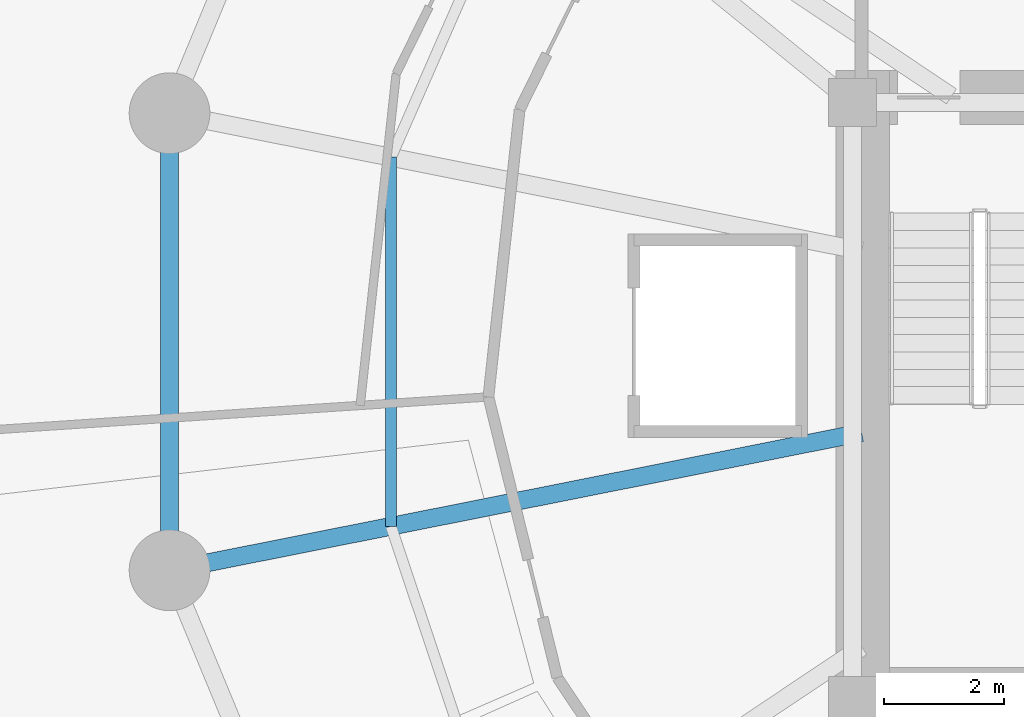
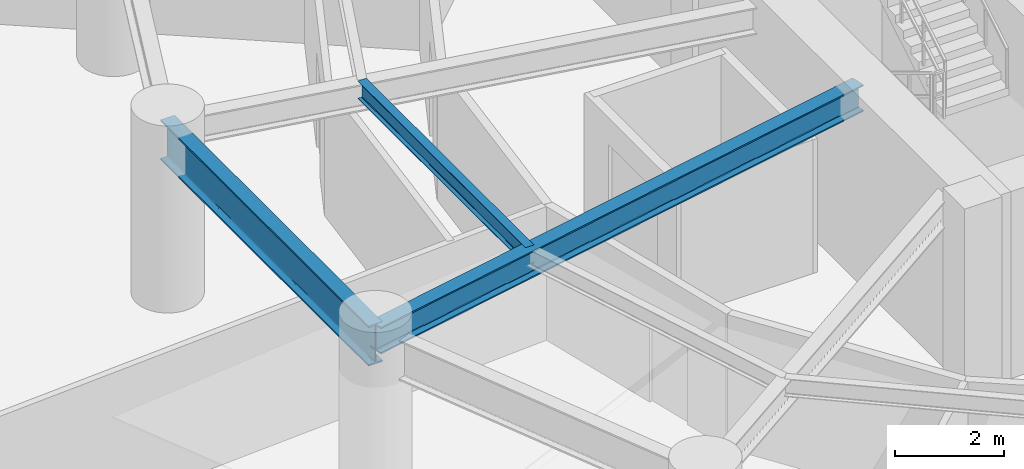
# One storey, part 5 of 16: 3 beams.
"""IFC4 building model written with IfcOpenShell, lengths in metres."""

import ifcopenshell
import ifcopenshell.guid

model = None  # the IFC model being written
_history = None  # IfcOwnerHistory: only IFC2X3 demands one
_inside = {}  # id of a spatial element -> (the spatial element, [elements in it])
_under = {}  # id of a project, library or spatial element -> (it, [spatial elements below it])
_declared = {}  # id of a project -> (the project, [libraries it declares])
_typed = {}  # id of a type object -> (the type object, [elements of that type])
_made_of = {}  # id of a material, layer set ... -> (it, [elements and type objects made of it])


def new_model(schema):
    """Start an empty IFC model of exactly this schema.

    Asked for "IFC4X3", IfcOpenShell would pick the latest addendum, in which some entities
    have other attributes; the version numbers below select the first issue.
    IFC2X3 requires an IfcOwnerHistory on every rooted entity: one is made here for all.
    """
    global model, _history
    if schema == "IFC4X3":
        model = ifcopenshell.file(schema_version=(4, 3, 0, 0))
    else:
        model = ifcopenshell.file(schema=schema)
    _inside.clear()
    _under.clear()
    _declared.clear()
    _typed.clear()
    _made_of.clear()
    _history = None
    if model.schema == "IFC2X3":
        org = make("IfcOrganization", Name="unknown")
        user = make(
            "IfcPersonAndOrganization",
            ThePerson=make("IfcPerson", FamilyName="unknown"),
            TheOrganization=org,
        )
        app = make(
            "IfcApplication",
            ApplicationDeveloper=org,
            Version="unknown",
            ApplicationFullName="unknown",
            ApplicationIdentifier="unknown",
        )
        _history = make(
            "IfcOwnerHistory",
            OwningUser=user,
            OwningApplication=app,
            ChangeAction="ADDED",
            CreationDate=0,
        )
    return model


def make(cls, **values):
    """One entity of the class cls with the attributes given. An attribute that is None is left unset."""
    return model.create_entity(
        cls, **{name: value for name, value in values.items() if value is not None}
    )


def rooted(cls, **values):
    """An entity with a GlobalId (a new one), such as an element, a storey or a relation."""
    return make(cls, GlobalId=ifcopenshell.guid.new(), OwnerHistory=_history, **values)


def si_unit(unit_type, name, prefix=None):
    """IfcSIUnit, for example si_unit("LENGTHUNIT", "METRE", prefix="MILLI")."""
    return make("IfcSIUnit", UnitType=unit_type, Prefix=prefix, Name=name)


def assignment(units):
    """IfcUnitAssignment: the units of a project."""
    return None if units is None else make("IfcUnitAssignment", Units=units)


def point(xyz):
    """IfcCartesianPoint."""
    return None if xyz is None else make("IfcCartesianPoint", Coordinates=xyz)


def direction(xyz):
    """IfcDirection."""
    return None if xyz is None else make("IfcDirection", DirectionRatios=xyz)


def frame(location, z_axis=None, x_axis=None):
    """IfcAxis2Placement3D, a coordinate frame: its origin and axes. An axis left out is left unset."""
    return make(
        "IfcAxis2Placement3D",
        Location=point(location),
        Axis=direction(z_axis),
        RefDirection=direction(x_axis),
    )


def frame_2d(location, x_axis=None):
    """IfcAxis2Placement2D, a coordinate frame in the plane: its origin and x axis."""
    return make(
        "IfcAxis2Placement2D", Location=point(location), RefDirection=direction(x_axis)
    )


def origin():
    """The frame at (0, 0, 0) with its axes left unset."""
    return frame((0.0, 0.0, 0.0))


def origin_2d():
    """The frame at (0, 0) in the plane with its x axis left unset."""
    return frame_2d((0.0, 0.0))


def place(relative_to, where):
    """IfcLocalPlacement: puts the frame where relative to a parent placement (None: the world)."""
    return make(
        "IfcLocalPlacement", PlacementRelTo=relative_to, RelativePlacement=where
    )


def context(
    kind, dimensions, precision=None, world=None, true_north=None, identifier=None
):
    """IfcGeometricRepresentationContext, for example the 3D "Model" context."""
    return make(
        "IfcGeometricRepresentationContext",
        ContextIdentifier=identifier,
        ContextType=kind,
        CoordinateSpaceDimension=dimensions,
        Precision=precision,
        WorldCoordinateSystem=world,
        TrueNorth=true_north,
    )


def subcontext(parent, identifier, kind, view, scale=None):
    """IfcGeometricRepresentationSubContext, for example "Body" below "Model"."""
    return make(
        "IfcGeometricRepresentationSubContext",
        ContextIdentifier=identifier,
        ContextType=kind,
        ParentContext=parent,
        TargetScale=scale,
        TargetView=view,
    )


def project(units=None, contexts=None):
    """IfcProject with its units and contexts."""
    return rooted(
        "IfcProject",
        Name="project",
        RepresentationContexts=contexts,
        UnitsInContext=assignment(units),
    )


def spatial(cls, under=None, at=None, **own):
    """A site, building, storey or space (cls), placed at a placement, below another one or the project."""
    s = rooted(cls, ObjectPlacement=at, **own)
    if under is not None:
        _under.setdefault(under.id(), (under, []))[1].append(s)
    return s


def profile(cls, at=None, kind="AREA", **sizes):
    """A parametric profile (cls). Its sizes go by their IFC names, for example OverallWidth=200.0."""
    return make(cls, ProfileType=kind, Position=at, **sizes)


def i_section(**sizes):
    """IfcIShapeProfileDef."""
    return profile("IfcIShapeProfileDef", **sizes)


def extrude(swept, where, along, depth):
    """IfcExtrudedAreaSolid: the profile swept, set in the frame where, extruded along a direction by depth."""
    return make(
        "IfcExtrudedAreaSolid",
        SweptArea=swept,
        Position=where,
        ExtrudedDirection=direction(along),
        Depth=depth,
    )


def shape(context_of_items, identifier, shape_type, items):
    """IfcShapeRepresentation: the items that make up one representation, for example the "Body"."""
    return make(
        "IfcShapeRepresentation",
        ContextOfItems=context_of_items,
        RepresentationIdentifier=identifier,
        RepresentationType=shape_type,
        Items=items,
    )


def material(Name=None, Category=None):
    """IfcMaterial."""
    return make("IfcMaterial", Name=Name, Category=Category)


def material_profile(
    of_material, cross_section, Name=None, Category=None, Priority=None
):
    """IfcMaterialProfile: a cross section and its material."""
    return make(
        "IfcMaterialProfile",
        Name=Name,
        Material=of_material,
        Profile=cross_section,
        Priority=Priority,
        Category=Category,
    )


def profile_set(profiles, Name=None, composite=None):
    """IfcMaterialProfileSet."""
    return make(
        "IfcMaterialProfileSet",
        Name=Name,
        MaterialProfiles=profiles,
        CompositeProfile=composite,
    )


def made_of(thing, what):
    """Note that an element or type object is made of a material, layer set ...; save() writes the relation."""
    if what is not None:
        _made_of.setdefault(what.id(), (what, []))[1].append(thing)
    return thing


def type_object(cls, material=None, **own):
    """A type object (cls), such as IfcWallType, which elements share."""
    return made_of(rooted(cls, **own), material)


def element(
    cls,
    number,
    at=None,
    inside=None,
    cuts=None,
    type_object=None,
    material=None,
    context=None,
    identifier="Body",
    shape_type=None,
    held_by="IfcProductDefinitionShape",
    body=None,
    shapes=None,
    **own,
):
    """One element of the class cls, such as IfcWall. Its Tag is "e" and its number.

    at: its placement. inside: the storey or other place that contains it. cuts: it is an
    opening in that element (IfcRelVoidsElement). A single representation is given by context,
    identifier, shape_type and body (its items); several are given by shapes. held_by: the class
    of the entity that holds the representations. save() writes the other relations.
    """
    e = rooted(cls, Tag="e%d" % number, ObjectPlacement=at, **own)
    if body is not None:
        shapes = [shape(context, identifier, shape_type, body)]
    if shapes is not None:
        e.Representation = make(held_by, Representations=shapes)
    if inside is not None:
        _inside.setdefault(inside.id(), (inside, []))[1].append(e)
    if cuts is not None:
        rooted(
            "IfcRelVoidsElement", RelatingBuildingElement=cuts, RelatedOpeningElement=e
        )
    if type_object is not None:
        _typed.setdefault(type_object.id(), (type_object, []))[1].append(e)
    return made_of(e, material)


def aggregate(whole, parts):
    """IfcRelAggregates: a whole, such as a stair, and the parts it consists of."""
    return rooted("IfcRelAggregates", RelatingObject=whole, RelatedObjects=parts)


def save(model, path):
    """Write the relations noted so far, then the file.

    IfcRelAggregates (storeys below a building ...), IfcRelContainedInSpatialStructure (elements
    in a storey), IfcRelDefinesByType, IfcRelAssociatesMaterial and IfcRelDeclares: one each for
    every whole, place, type object, material and project.
    """
    for whole, parts in _under.values():
        aggregate(whole, parts)
    for where, things in _inside.values():
        rooted(
            "IfcRelContainedInSpatialStructure",
            RelatedElements=things,
            RelatingStructure=where,
        )
    for kind, things in _typed.values():
        rooted("IfcRelDefinesByType", RelatedObjects=things, RelatingType=kind)
    for what, things in _made_of.values():
        rooted("IfcRelAssociatesMaterial", RelatedObjects=things, RelatingMaterial=what)
    for by, libraries in _declared.values():
        rooted("IfcRelDeclares", RelatingContext=by, RelatedDefinitions=libraries)
    model.write(path)


model = new_model("IFC4")

# Units and contexts
model_context = context("Model", 3, precision=1e-05, world=origin(), true_north=direction((0.0, 1.0)))
body_context = subcontext(model_context, "Body", "Model", "MODEL_VIEW")
ifc_project = project(units=[si_unit("LENGTHUNIT", "METRE"), si_unit("AREAUNIT", "SQUARE_METRE"), si_unit("VOLUMEUNIT", "CUBIC_METRE"), si_unit("PLANEANGLEUNIT", "RADIAN"), si_unit("MASSUNIT", "GRAM", prefix="KILO"), si_unit("THERMODYNAMICTEMPERATUREUNIT", "KELVIN"), si_unit("POWERUNIT", "WATT")], contexts=[model_context])

# Site, building, storey
site_placement = place(None, origin())
site = spatial("IfcSite", under=ifc_project, at=site_placement, CompositionType="ELEMENT")
building_placement = place(site_placement, origin())
building = spatial("IfcBuilding", under=site, at=building_placement, Name="Ocrelia Relay Tower", CompositionType="ELEMENT")
storey_placement = place(building_placement, frame((0.0, 0.0, 46.800048828125)))
storey = spatial("IfcBuildingStorey", under=building, at=storey_placement, Name="L10", CompositionType="ELEMENT", Elevation=46.800048828125)

# Beams
ifc_material = material(Name="Steel S355", Category="steel")
ifc_material_profile_1 = material_profile(ifc_material, i_section(OverallWidth=0.300048828125, OverallDepth=0.60009765625, WebThickness=0.015380859375, FlangeThickness=0.030029296875, FilletRadius=0.027099609375, at=origin_2d()), Name="HEB 600")
ifc_profile_set_1 = profile_set([ifc_material_profile_1], Name="Steel S355")
beam_type_1 = type_object("IfcBeamType", Name="BM-HEB600", PredefinedType="BEAM", material=ifc_profile_set_1)
beam_1_placement = place(storey_placement, frame((14.776611328125, 22.17626953125, 3.619873046875), z_axis=(0.980786938484, 0.195081986098, 0.0), x_axis=(-0.195081986098, 0.980786938484, 0.0)))
element("IfcBeam", 1, at=beam_1_placement, inside=storey, type_object=beam_type_1, Name="L10 Radial Floor Girder R09", PredefinedType="BEAM", context=body_context, shape_type="SweptSolid", body=[
    extrude(i_section(OverallWidth=0.300048828125, OverallDepth=0.60009765625, WebThickness=0.015380859375, FlangeThickness=0.030029296875, FilletRadius=0.027099609375, at=origin_2d()), origin(), (0.0, 0.0, 1.0), 11.80517578125),
])
ifc_material_profile_2 = material_profile(ifc_material, i_section(OverallWidth=0.300048828125, OverallDepth=0.89990234375, WebThickness=0.0185546875, FlangeThickness=0.034912109375, FilletRadius=0.030029296875, at=origin_2d()), Name="HEB 900")
ifc_profile_set_2 = profile_set([ifc_material_profile_2], Name="Steel S355")
beam_type_2 = type_object("IfcBeamType", Name="BM-HEB900", PredefinedType="BEAM", material=ifc_profile_set_2)
beam_2_placement = place(storey_placement, frame((14.776611328125, 29.82373046875, 3.469970703125), z_axis=(0.0, -1.0, 0.0), x_axis=(1.0, 0.0, 0.0)))
element("IfcBeam", 2, at=beam_2_placement, inside=storey, type_object=beam_type_2, Name="L10 Perimeter Spandrel Beam S08", PredefinedType="BEAM", context=body_context, shape_type="SweptSolid", body=[
    extrude(i_section(OverallWidth=0.300048828125, OverallDepth=0.89990234375, WebThickness=0.0185546875, FlangeThickness=0.034912109375, FilletRadius=0.030029296875, at=origin_2d()), origin(), (0.0, 0.0, 1.0), 7.6474609375),
])
ifc_material_profile_3 = material_profile(ifc_material, i_section(OverallWidth=0.179931640625, OverallDepth=0.39990234375, WebThickness=0.008544921875, FlangeThickness=0.013427734375, FilletRadius=0.02099609375, at=origin_2d()), Name="IPE 400")
ifc_profile_set_3 = profile_set([ifc_material_profile_3], Name="Steel S355")
beam_type_3 = type_object("IfcBeamType", Name="BM-IPE400", PredefinedType="JOIST", material=ifc_profile_set_3)
beam_3_placement = place(storey_placement, frame((18.481689453125, 29.0869140625, 3.719970703125), z_axis=(0.0, -1.0, 0.0), x_axis=(1.0, 0.0, 0.0)))
element("IfcBeam", 3, at=beam_3_placement, inside=storey, type_object=beam_type_3, Name="L10 Secondary Floor Joist J08", PredefinedType="JOIST", context=body_context, shape_type="SweptSolid", body=[
    extrude(i_section(OverallWidth=0.179931640625, OverallDepth=0.39990234375, WebThickness=0.008544921875, FlangeThickness=0.013427734375, FilletRadius=0.02099609375, at=origin_2d()), origin(), (0.0, 0.0, 1.0), 6.173828125),
])

save(model, "model.ifc")
